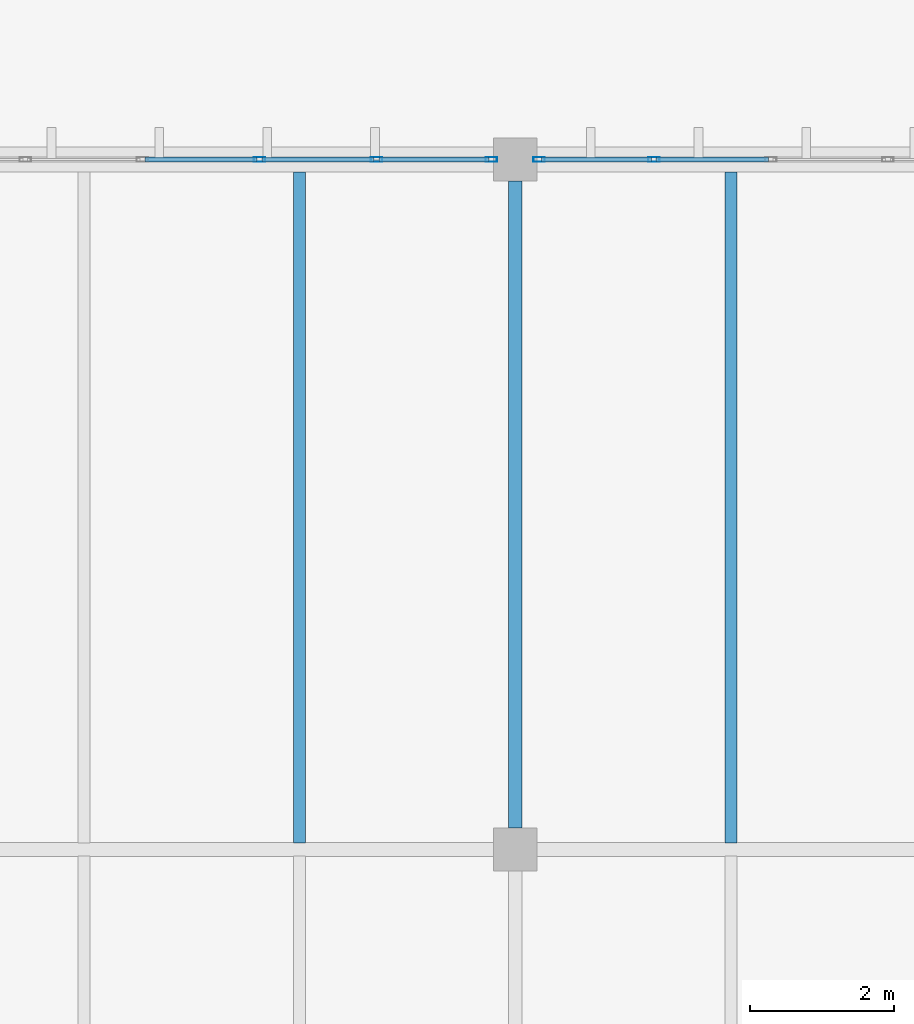
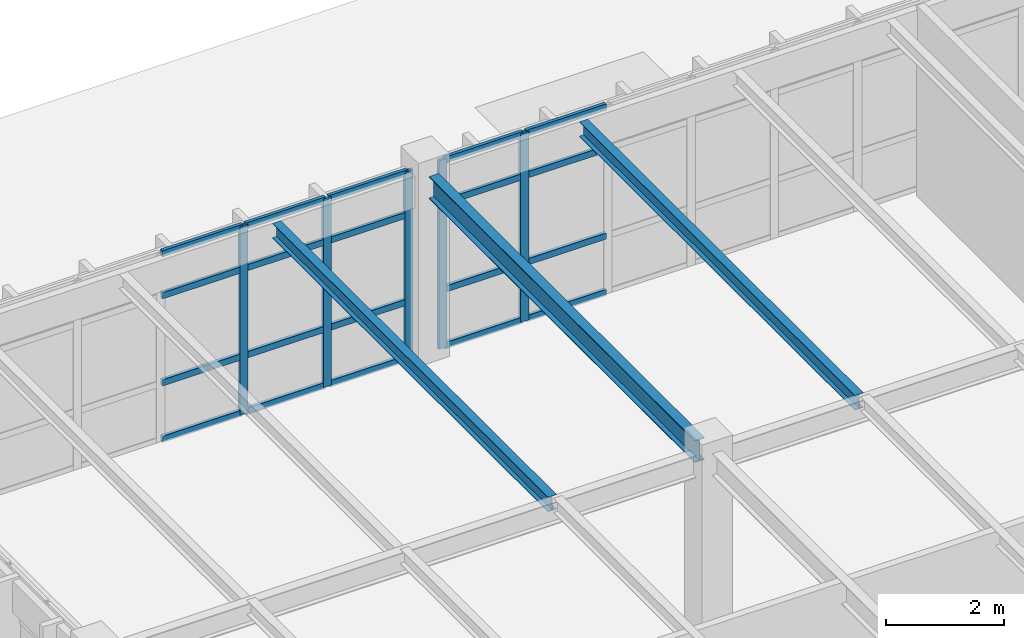
# One storey, part 49 of 83: 25 members, 3 beams, 2 elements without a shape of their own.
"""IFC4 building model written with IfcOpenShell, lengths in metres."""

from ifc_helpers import new_model, si_unit, direction, frame, origin, origin_2d, place, context, subcontext, project, spatial, hollow_rectangle, i_section, extrude, material, layer, layer_set, material_profile, profile_set, type_object, element, aggregate, save


model = new_model("IFC4")

# Units and contexts
model_context = context("Model", 3, precision=1e-05, world=origin(), true_north=direction((0.0, 1.0)))
body_context = subcontext(model_context, "Body", "Model", "MODEL_VIEW")
ifc_project = project(units=[si_unit("LENGTHUNIT", "METRE"), si_unit("AREAUNIT", "SQUARE_METRE"), si_unit("VOLUMEUNIT", "CUBIC_METRE"), si_unit("PLANEANGLEUNIT", "RADIAN"), si_unit("MASSUNIT", "GRAM", prefix="KILO")], contexts=[model_context])

# Site, building, storey
site_placement = place(None, origin())
site = spatial("IfcSite", under=ifc_project, at=site_placement, CompositionType="ELEMENT")
building_placement = place(site_placement, origin())
building = spatial("IfcBuilding", under=site, at=building_placement, Name="Pandanus Reach Market Hall", CompositionType="ELEMENT")
storey_placement = place(building_placement, frame((0.0, 0.0, 10.199951171875)))
storey = spatial("IfcBuildingStorey", under=building, at=storey_placement, Name="L02", CompositionType="ELEMENT", Elevation=10.199951171875)

# Beam
ifc_material_1 = material(Name="Steel Grade 350 (350 MPa)", Category="steel")
ifc_material_profile_1 = material_profile(ifc_material_1, i_section(OverallWidth=0.18994140625, OverallDepth=0.45703125, WebThickness=0.009033203125, FlangeThickness=0.014404296875, at=origin_2d()), Name="460UB74.6", Category="LoadBearing")
ifc_profile_set_1 = profile_set([ifc_material_profile_1], Name="Steel Grade 350 (350 MPa)")
beam_type_1 = type_object("IfcBeamType", Name="BM-UB460-I", PredefinedType="BEAM", material=ifc_profile_set_1)
beam_placement = place(storey_placement, frame((156.0, 77.097900390625, 3.631103515625), z_axis=(0.0, 1.0, 0.0), x_axis=(-1.0, 0.0, 0.0)))
element("IfcBeam", 1, at=beam_placement, inside=storey, type_object=beam_type_1, Name="Framing beam BM-UB460-I L02.474", PredefinedType="BEAM", context=body_context, shape_type="SweptSolid", body=[
    extrude(i_section(OverallWidth=0.18994140625, OverallDepth=0.45703125, WebThickness=0.009033203125, FlangeThickness=0.014404296875, at=origin_2d()), origin(), (0.0, 0.0, 1.0), 9.004150390625),
])

# Curtain wall, members
ifc_material_2 = material(Name="Bronze anodised aluminium and low-E glass", Category="aluminium")
ifc_layer = layer(ifc_material_2, 0.159912109375, Name="CW-31")
ifc_layer_set = layer_set([ifc_layer], Name="Bronze anodised aluminium and low-E glass")
curtain_wall_type = type_object("IfcCurtainWallType", Name="CW-31", PredefinedType="NOTDEFINED", material=ifc_layer_set)
curtain_wall_1_placement = place(storey_placement, origin())
curtain_wall_1 = element("IfcCurtainWall", 2, at=curtain_wall_1_placement, inside=storey, type_object=curtain_wall_type, Name="Glazed curtain wall CW-31 CW-0102", PredefinedType="NOTDEFINED")
ifc_material_3 = material(Name="Bronze anodised aluminium", Category="aluminium")
ifc_material_profile_2 = material_profile(ifc_material_3, hollow_rectangle(XDim=0.06494140625, YDim=0.159912109375, WallThickness=0.00390625, at=origin_2d()), Name="ALU65x160", Category="LoadBearing")
ifc_profile_set_2 = profile_set([ifc_material_profile_2], Name="Bronze anodised aluminium")
member_type_1 = type_object("IfcMemberType", Name="CW-M1", PredefinedType="MULLION", material=ifc_profile_set_2)
member_1_placement = place(storey_placement, frame((152.44287109375, 86.39990234375, 0.0), z_axis=(0.0, 0.0, 1.0), x_axis=(0.0, 1.0, 0.0)))
member_1 = element("IfcMember", 3, at=member_1_placement, type_object=member_type_1, Name="CW-31 mullion 6", PredefinedType="MULLION", context=body_context, shape_type="SweptSolid", body=[
    extrude(hollow_rectangle(XDim=0.06494140625, YDim=0.159912109375, WallThickness=0.00390625, at=origin_2d()), origin(), (0.0, 0.0, 1.0), 3.900146484375),
])
member_2_placement = place(storey_placement, frame((154.071533203125, 86.39990234375, 0.0), z_axis=(0.0, 0.0, 1.0), x_axis=(0.0, 1.0, 0.0)))
member_2 = element("IfcMember", 4, at=member_2_placement, type_object=member_type_1, Name="CW-31 mullion 7", PredefinedType="MULLION", context=body_context, shape_type="SweptSolid", body=[
    extrude(hollow_rectangle(XDim=0.06494140625, YDim=0.159912109375, WallThickness=0.00390625, at=origin_2d()), origin(), (0.0, 0.0, 1.0), 3.900146484375),
])
member_3_placement = place(storey_placement, frame((155.66748046875, 86.39990234375, 0.0), z_axis=(0.0, 0.0, 1.0), x_axis=(0.0, 1.0, 0.0)))
member_3 = element("IfcMember", 5, at=member_3_placement, type_object=member_type_1, Name="CW-31 mullion 8", PredefinedType="MULLION", context=body_context, shape_type="SweptSolid", body=[
    extrude(hollow_rectangle(XDim=0.06494140625, YDim=0.159912109375, WallThickness=0.00390625, at=origin_2d()), origin(), (0.0, 0.0, 1.0), 3.900146484375),
])

curtain_wall_2_placement = place(storey_placement, origin())
curtain_wall_2 = element("IfcCurtainWall", 6, at=curtain_wall_2_placement, inside=storey, type_object=curtain_wall_type, Name="Glazed curtain wall CW-31 CW-0103", PredefinedType="NOTDEFINED")
member_4_placement = place(storey_placement, frame((156.33251953125, 86.39990234375, 0.0), z_axis=(0.0, 0.0, 1.0), x_axis=(0.0, 1.0, 0.0)))
member_4 = element("IfcMember", 7, at=member_4_placement, type_object=member_type_1, Name="CW-31 mullion 1", PredefinedType="MULLION", context=body_context, shape_type="SweptSolid", body=[
    extrude(hollow_rectangle(XDim=0.06494140625, YDim=0.159912109375, WallThickness=0.00390625, at=origin_2d()), origin(), (0.0, 0.0, 1.0), 3.900146484375),
])
member_5_placement = place(storey_placement, frame((157.928466796875, 86.39990234375, 0.0), z_axis=(0.0, 0.0, 1.0), x_axis=(0.0, 1.0, 0.0)))
member_5 = element("IfcMember", 8, at=member_5_placement, type_object=member_type_1, Name="CW-31 mullion 2", PredefinedType="MULLION", context=body_context, shape_type="SweptSolid", body=[
    extrude(hollow_rectangle(XDim=0.06494140625, YDim=0.159912109375, WallThickness=0.00390625, at=origin_2d()), origin(), (0.0, 0.0, 1.0), 3.900146484375),
])

# Member
ifc_material_profile_3 = material_profile(ifc_material_3, hollow_rectangle(XDim=0.06494140625, YDim=0.1298828125, WallThickness=0.00390625, at=origin_2d()), Name="ALU65x130", Category="LoadBearing")
ifc_profile_set_3 = profile_set([ifc_material_profile_3], Name="Bronze anodised aluminium")
member_type_2 = type_object("IfcMemberType", Name="CW-T1", PredefinedType="USERDEFINED", material=ifc_profile_set_3)
member_6_placement = place(storey_placement, frame((150.8466796875, 86.39990234375, 0.032470703125), z_axis=(1.0, 0.0, 0.0), x_axis=(0.0, 1.0, 0.0)))
member_6 = element("IfcMember", 9, at=member_6_placement, type_object=member_type_2, Name="CW-31 transom 5.1", ObjectType="TRANSOM", PredefinedType="USERDEFINED", context=body_context, shape_type="SweptSolid", body=[
    extrude(hollow_rectangle(XDim=0.06494140625, YDim=0.1298828125, WallThickness=0.00390625, at=origin_2d()), origin(), (0.0, 0.0, 1.0), 1.563720703125),
])

member_7_placement = place(storey_placement, frame((150.8466796875, 86.39990234375, 1.199951171875), z_axis=(1.0, 0.0, 0.0), x_axis=(0.0, 1.0, 0.0)))
member_7 = element("IfcMember", 10, at=member_7_placement, type_object=member_type_2, Name="CW-31 transom 5.2", ObjectType="TRANSOM", PredefinedType="USERDEFINED", context=body_context, shape_type="SweptSolid", body=[
    extrude(hollow_rectangle(XDim=0.06494140625, YDim=0.1298828125, WallThickness=0.00390625, at=origin_2d()), origin(), (0.0, 0.0, 1.0), 1.563720703125),
])

member_8_placement = place(storey_placement, frame((150.8466796875, 86.39990234375, 3.0), z_axis=(1.0, 0.0, 0.0), x_axis=(0.0, 1.0, 0.0)))
member_8 = element("IfcMember", 11, at=member_8_placement, type_object=member_type_2, Name="CW-31 transom 5.3", ObjectType="TRANSOM", PredefinedType="USERDEFINED", context=body_context, shape_type="SweptSolid", body=[
    extrude(hollow_rectangle(XDim=0.06494140625, YDim=0.1298828125, WallThickness=0.00390625, at=origin_2d()), origin(), (0.0, 0.0, 1.0), 1.563720703125),
])

member_9_placement = place(storey_placement, frame((150.8466796875, 86.39990234375, 3.867431640625), z_axis=(1.0, 0.0, 0.0), x_axis=(0.0, 1.0, 0.0)))
member_9 = element("IfcMember", 12, at=member_9_placement, type_object=member_type_2, Name="CW-31 transom 5.4", ObjectType="TRANSOM", PredefinedType="USERDEFINED", context=body_context, shape_type="SweptSolid", body=[
    extrude(hollow_rectangle(XDim=0.06494140625, YDim=0.1298828125, WallThickness=0.00390625, at=origin_2d()), origin(), (0.0, 0.0, 1.0), 1.563720703125),
])

member_10_placement = place(storey_placement, frame((152.475341796875, 86.39990234375, 0.032470703125), z_axis=(1.0, 0.0, 0.0), x_axis=(0.0, 1.0, 0.0)))
member_10 = element("IfcMember", 13, at=member_10_placement, type_object=member_type_2, Name="CW-31 transom 6.1", ObjectType="TRANSOM", PredefinedType="USERDEFINED", context=body_context, shape_type="SweptSolid", body=[
    extrude(hollow_rectangle(XDim=0.06494140625, YDim=0.1298828125, WallThickness=0.00390625, at=origin_2d()), origin(), (0.0, 0.0, 1.0), 1.5634765625),
])

member_11_placement = place(storey_placement, frame((152.475341796875, 86.39990234375, 1.199951171875), z_axis=(1.0, 0.0, 0.0), x_axis=(0.0, 1.0, 0.0)))
member_11 = element("IfcMember", 14, at=member_11_placement, type_object=member_type_2, Name="CW-31 transom 6.2", ObjectType="TRANSOM", PredefinedType="USERDEFINED", context=body_context, shape_type="SweptSolid", body=[
    extrude(hollow_rectangle(XDim=0.06494140625, YDim=0.1298828125, WallThickness=0.00390625, at=origin_2d()), origin(), (0.0, 0.0, 1.0), 1.5634765625),
])

member_12_placement = place(storey_placement, frame((152.475341796875, 86.39990234375, 3.0), z_axis=(1.0, 0.0, 0.0), x_axis=(0.0, 1.0, 0.0)))
member_12 = element("IfcMember", 15, at=member_12_placement, type_object=member_type_2, Name="CW-31 transom 6.3", ObjectType="TRANSOM", PredefinedType="USERDEFINED", context=body_context, shape_type="SweptSolid", body=[
    extrude(hollow_rectangle(XDim=0.06494140625, YDim=0.1298828125, WallThickness=0.00390625, at=origin_2d()), origin(), (0.0, 0.0, 1.0), 1.5634765625),
])

member_13_placement = place(storey_placement, frame((152.475341796875, 86.39990234375, 3.867431640625), z_axis=(1.0, 0.0, 0.0), x_axis=(0.0, 1.0, 0.0)))
member_13 = element("IfcMember", 16, at=member_13_placement, type_object=member_type_2, Name="CW-31 transom 6.4", ObjectType="TRANSOM", PredefinedType="USERDEFINED", context=body_context, shape_type="SweptSolid", body=[
    extrude(hollow_rectangle(XDim=0.06494140625, YDim=0.1298828125, WallThickness=0.00390625, at=origin_2d()), origin(), (0.0, 0.0, 1.0), 1.5634765625),
])

member_14_placement = place(storey_placement, frame((154.10400390625, 86.39990234375, 0.032470703125), z_axis=(1.0, 0.0, 0.0), x_axis=(0.0, 1.0, 0.0)))
member_14 = element("IfcMember", 17, at=member_14_placement, type_object=member_type_2, Name="CW-31 transom 7.1", ObjectType="TRANSOM", PredefinedType="USERDEFINED", context=body_context, shape_type="SweptSolid", body=[
    extrude(hollow_rectangle(XDim=0.06494140625, YDim=0.1298828125, WallThickness=0.00390625, at=origin_2d()), origin(), (0.0, 0.0, 1.0), 1.531005859375),
])

member_15_placement = place(storey_placement, frame((154.10400390625, 86.39990234375, 1.199951171875), z_axis=(1.0, 0.0, 0.0), x_axis=(0.0, 1.0, 0.0)))
member_15 = element("IfcMember", 18, at=member_15_placement, type_object=member_type_2, Name="CW-31 transom 7.2", ObjectType="TRANSOM", PredefinedType="USERDEFINED", context=body_context, shape_type="SweptSolid", body=[
    extrude(hollow_rectangle(XDim=0.06494140625, YDim=0.1298828125, WallThickness=0.00390625, at=origin_2d()), origin(), (0.0, 0.0, 1.0), 1.531005859375),
])

member_16_placement = place(storey_placement, frame((154.10400390625, 86.39990234375, 3.0), z_axis=(1.0, 0.0, 0.0), x_axis=(0.0, 1.0, 0.0)))
member_16 = element("IfcMember", 19, at=member_16_placement, type_object=member_type_2, Name="CW-31 transom 7.3", ObjectType="TRANSOM", PredefinedType="USERDEFINED", context=body_context, shape_type="SweptSolid", body=[
    extrude(hollow_rectangle(XDim=0.06494140625, YDim=0.1298828125, WallThickness=0.00390625, at=origin_2d()), origin(), (0.0, 0.0, 1.0), 1.531005859375),
])

member_17_placement = place(storey_placement, frame((154.10400390625, 86.39990234375, 3.867431640625), z_axis=(1.0, 0.0, 0.0), x_axis=(0.0, 1.0, 0.0)))
member_17 = element("IfcMember", 20, at=member_17_placement, type_object=member_type_2, Name="CW-31 transom 7.4", ObjectType="TRANSOM", PredefinedType="USERDEFINED", context=body_context, shape_type="SweptSolid", body=[
    extrude(hollow_rectangle(XDim=0.06494140625, YDim=0.1298828125, WallThickness=0.00390625, at=origin_2d()), origin(), (0.0, 0.0, 1.0), 1.531005859375),
])

aggregate(curtain_wall_1, [member_1, member_2, member_3, member_6, member_7, member_8, member_9, member_10, member_11, member_12, member_13, member_14, member_15, member_16, member_17])

member_18_placement = place(storey_placement, frame((156.364990234375, 86.39990234375, 0.032470703125), z_axis=(1.0, 0.0, 0.0), x_axis=(0.0, 1.0, 0.0)))
member_18 = element("IfcMember", 21, at=member_18_placement, type_object=member_type_2, Name="CW-31 transom 1.1", ObjectType="TRANSOM", PredefinedType="USERDEFINED", context=body_context, shape_type="SweptSolid", body=[
    extrude(hollow_rectangle(XDim=0.06494140625, YDim=0.1298828125, WallThickness=0.00390625, at=origin_2d()), origin(), (0.0, 0.0, 1.0), 1.531005859375),
])

member_19_placement = place(storey_placement, frame((156.364990234375, 86.39990234375, 1.199951171875), z_axis=(1.0, 0.0, 0.0), x_axis=(0.0, 1.0, 0.0)))
member_19 = element("IfcMember", 22, at=member_19_placement, type_object=member_type_2, Name="CW-31 transom 1.2", ObjectType="TRANSOM", PredefinedType="USERDEFINED", context=body_context, shape_type="SweptSolid", body=[
    extrude(hollow_rectangle(XDim=0.06494140625, YDim=0.1298828125, WallThickness=0.00390625, at=origin_2d()), origin(), (0.0, 0.0, 1.0), 1.531005859375),
])

member_20_placement = place(storey_placement, frame((156.364990234375, 86.39990234375, 3.0), z_axis=(1.0, 0.0, 0.0), x_axis=(0.0, 1.0, 0.0)))
member_20 = element("IfcMember", 23, at=member_20_placement, type_object=member_type_2, Name="CW-31 transom 1.3", ObjectType="TRANSOM", PredefinedType="USERDEFINED", context=body_context, shape_type="SweptSolid", body=[
    extrude(hollow_rectangle(XDim=0.06494140625, YDim=0.1298828125, WallThickness=0.00390625, at=origin_2d()), origin(), (0.0, 0.0, 1.0), 1.531005859375),
])

member_21_placement = place(storey_placement, frame((156.364990234375, 86.39990234375, 3.867431640625), z_axis=(1.0, 0.0, 0.0), x_axis=(0.0, 1.0, 0.0)))
member_21 = element("IfcMember", 24, at=member_21_placement, type_object=member_type_2, Name="CW-31 transom 1.4", ObjectType="TRANSOM", PredefinedType="USERDEFINED", context=body_context, shape_type="SweptSolid", body=[
    extrude(hollow_rectangle(XDim=0.06494140625, YDim=0.1298828125, WallThickness=0.00390625, at=origin_2d()), origin(), (0.0, 0.0, 1.0), 1.531005859375),
])

member_22_placement = place(storey_placement, frame((157.961181640625, 86.39990234375, 0.032470703125), z_axis=(1.0, 0.0, 0.0), x_axis=(0.0, 1.0, 0.0)))
member_22 = element("IfcMember", 25, at=member_22_placement, type_object=member_type_2, Name="CW-31 transom 2.1", ObjectType="TRANSOM", PredefinedType="USERDEFINED", context=body_context, shape_type="SweptSolid", body=[
    extrude(hollow_rectangle(XDim=0.06494140625, YDim=0.1298828125, WallThickness=0.00390625, at=origin_2d()), origin(), (0.0, 0.0, 1.0), 1.5634765625),
])

member_23_placement = place(storey_placement, frame((157.961181640625, 86.39990234375, 1.199951171875), z_axis=(1.0, 0.0, 0.0), x_axis=(0.0, 1.0, 0.0)))
member_23 = element("IfcMember", 26, at=member_23_placement, type_object=member_type_2, Name="CW-31 transom 2.2", ObjectType="TRANSOM", PredefinedType="USERDEFINED", context=body_context, shape_type="SweptSolid", body=[
    extrude(hollow_rectangle(XDim=0.06494140625, YDim=0.1298828125, WallThickness=0.00390625, at=origin_2d()), origin(), (0.0, 0.0, 1.0), 1.5634765625),
])

member_24_placement = place(storey_placement, frame((157.961181640625, 86.39990234375, 3.0), z_axis=(1.0, 0.0, 0.0), x_axis=(0.0, 1.0, 0.0)))
member_24 = element("IfcMember", 27, at=member_24_placement, type_object=member_type_2, Name="CW-31 transom 2.3", ObjectType="TRANSOM", PredefinedType="USERDEFINED", context=body_context, shape_type="SweptSolid", body=[
    extrude(hollow_rectangle(XDim=0.06494140625, YDim=0.1298828125, WallThickness=0.00390625, at=origin_2d()), origin(), (0.0, 0.0, 1.0), 1.5634765625),
])

member_25_placement = place(storey_placement, frame((157.961181640625, 86.39990234375, 3.867431640625), z_axis=(1.0, 0.0, 0.0), x_axis=(0.0, 1.0, 0.0)))
member_25 = element("IfcMember", 28, at=member_25_placement, type_object=member_type_2, Name="CW-31 transom 2.4", ObjectType="TRANSOM", PredefinedType="USERDEFINED", context=body_context, shape_type="SweptSolid", body=[
    extrude(hollow_rectangle(XDim=0.06494140625, YDim=0.1298828125, WallThickness=0.00390625, at=origin_2d()), origin(), (0.0, 0.0, 1.0), 1.5634765625),
])

aggregate(curtain_wall_2, [member_4, member_5, member_18, member_19, member_20, member_21, member_22, member_23, member_24, member_25])

# Beams
ifc_material_profile_4 = material_profile(ifc_material_1, i_section(OverallWidth=0.1650390625, OverallDepth=0.303955078125, WebThickness=0.006103515625, FlangeThickness=0.01025390625, at=origin_2d()), Name="310UB40.4", Category="LoadBearing")
ifc_profile_set_4 = profile_set([ifc_material_profile_4], Name="Steel Grade 350 (350 MPa)")
beam_type_2 = type_object("IfcBeamType", Name="JS-UB310-I", PredefinedType="JOIST", material=ifc_profile_set_4)
for number, where, z_axis, x_axis, name in (
    (29, (153.0, 76.89306640625, 3.707763671875), (0.0, 1.0, 0.0), (-1.0, 0.0, 0.0), "Secondary joist JS-UB310-I L02.506"),
    (30, (159.0, 76.89306640625, 3.707763671875), (0.0, 1.0, 0.0), (-1.0, 0.0, 0.0), "Secondary joist JS-UB310-I L02.518"),
):
    element("IfcBeam", number, at=place(storey_placement, frame(where, z_axis=z_axis, x_axis=x_axis)), inside=storey, type_object=beam_type_2, Name=name, PredefinedType="JOIST", context=body_context, shape_type="SweptSolid", body=[
        extrude(i_section(OverallWidth=0.1650390625, OverallDepth=0.303955078125, WebThickness=0.006103515625, FlangeThickness=0.01025390625, at=origin_2d()), origin(), (0.0, 0.0, 1.0), 9.333984375),
    ])

save(model, "model.ifc")
